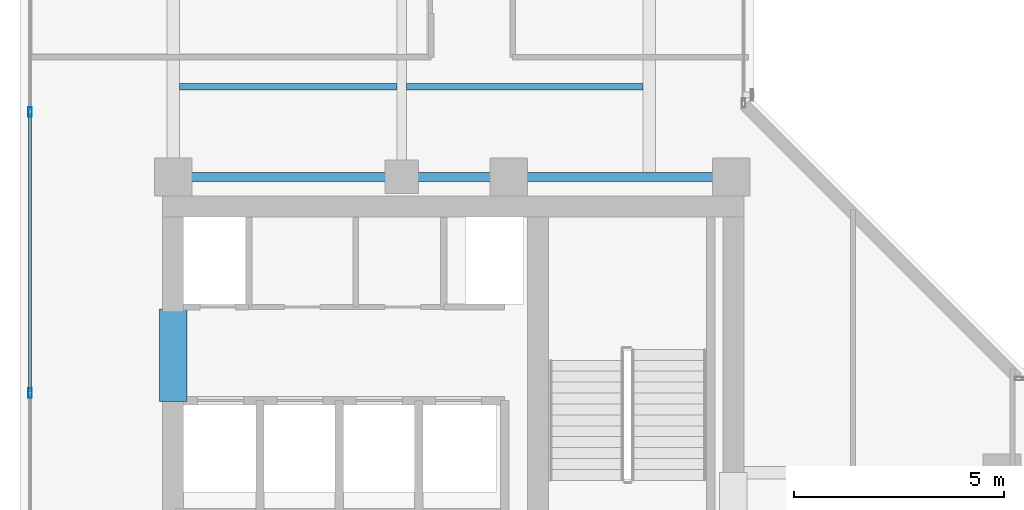
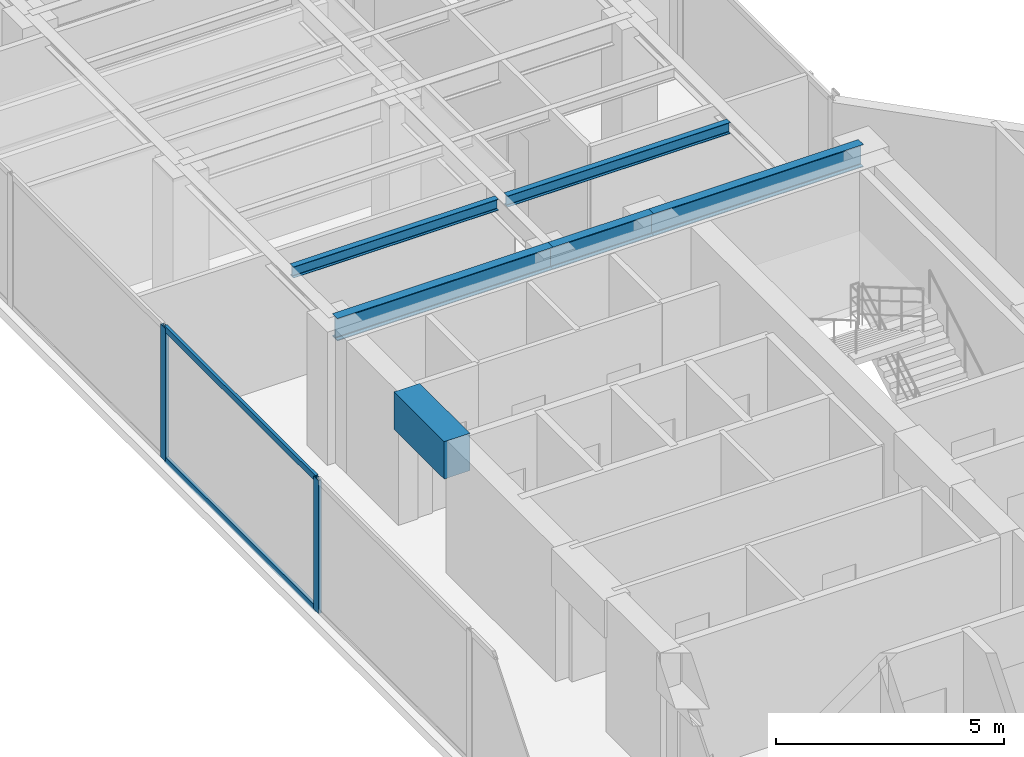
# One storey, part 6 of 23: 6 beams, 4 members, 1 element without a shape of its own.
"""IFC4 building model written with IfcOpenShell, lengths in metres."""

from ifc_helpers import new_model, si_unit, direction, frame, origin, origin_with_axes, origin_2d, place, context, subcontext, project, spatial, rectangle, hollow_rectangle, i_section, extrude, source, transform, mapped, material, layer, layer_set, material_profile, profile_set, type_object, element, aggregate, save


model = new_model("IFC4")

# Units and contexts
model_context = context("Model", 3, precision=1e-05, world=origin(), true_north=direction((0.0, 1.0)))
body_context = subcontext(model_context, "Body", "Model", "MODEL_VIEW")
ifc_project = project(units=[si_unit("LENGTHUNIT", "METRE"), si_unit("AREAUNIT", "SQUARE_METRE"), si_unit("VOLUMEUNIT", "CUBIC_METRE"), si_unit("PLANEANGLEUNIT", "RADIAN"), si_unit("MASSUNIT", "GRAM", prefix="KILO")], contexts=[model_context])

# Site, building, storey
site_placement = place(None, origin())
site = spatial("IfcSite", under=ifc_project, at=site_placement, CompositionType="ELEMENT")
building_placement = place(site_placement, origin())
building = spatial("IfcBuilding", under=site, at=building_placement, Name="Kolvaren Waterfront Exchange", CompositionType="ELEMENT")
storey_placement = place(building_placement, frame((0.0, 0.0, 304.60009765625)))
storey = spatial("IfcBuildingStorey", under=building, at=storey_placement, Name="L78", CompositionType="ELEMENT", Elevation=304.60009765625)

# Beams
ifc_material_1 = material(Name="Steel S355", Category="steel")
ifc_material_profile_1 = material_profile(ifc_material_1, i_section(OverallWidth=0.14990234375, OverallDepth=0.300048828125, WebThickness=0.007080078125, FlangeThickness=0.0107421875, FilletRadius=0.014892578125, at=origin_2d()), Name="IPE300")
ifc_profile_set_1 = profile_set([ifc_material_profile_1], Name="Steel S355")
beam_type_1 = type_object("IfcBeamType", Name="STR-BM-IPE300", PredefinedType="JOIST", material=ifc_profile_set_1)
beam_1_placement = place(storey_placement, frame((7.60205078125, 26.60009765625, 3.409912109375), z_axis=(1.0, 0.0, 0.0), x_axis=(0.0, 1.0, 0.0)))
element("IfcBeam", 1, at=beam_1_placement, inside=storey, type_object=beam_type_1, Name="L78 north-arm composite joist 1A", PredefinedType="JOIST", context=body_context, shape_type="SweptSolid", body=[
    extrude(i_section(OverallWidth=0.14990234375, OverallDepth=0.300048828125, WebThickness=0.007080078125, FlangeThickness=0.0107421875, FilletRadius=0.014892578125, at=origin_2d()), origin(), (0.0, 0.0, 1.0), 5.18603515625),
])
beam_2_placement = place(storey_placement, frame((13.011962890625, 26.60009765625, 3.409912109375), z_axis=(1.0, 0.0, 0.0), x_axis=(0.0, 1.0, 0.0)))
element("IfcBeam", 2, at=beam_2_placement, inside=storey, type_object=beam_type_1, Name="L78 north-arm composite joist 1B", PredefinedType="JOIST", context=body_context, shape_type="SweptSolid", body=[
    extrude(i_section(OverallWidth=0.14990234375, OverallDepth=0.300048828125, WebThickness=0.007080078125, FlangeThickness=0.0107421875, FilletRadius=0.014892578125, at=origin_2d()), origin(), (0.0, 0.0, 1.0), 5.635986328125),
])
ifc_material_profile_2 = material_profile(ifc_material_1, i_section(OverallWidth=0.219970703125, OverallDepth=0.60009765625, WebThickness=0.011962890625, FlangeThickness=0.01904296875, FilletRadius=0.02392578125, at=origin_2d()), Name="IPE600")
ifc_profile_set_2 = profile_set([ifc_material_profile_2], Name="Steel S355")
beam_type_2 = type_object("IfcBeamType", Name="STR-BM-IPE600", PredefinedType="BEAM", material=ifc_profile_set_2)
beam_3_placement = place(storey_placement, frame((7.449951171875, 24.449951171875, 3.260009765625), z_axis=(1.0, 0.0, 0.0), x_axis=(0.0, 1.0, 0.0)))
element("IfcBeam", 3, at=beam_3_placement, inside=storey, type_object=beam_type_2, Name="L78 north-arm girder 1A", PredefinedType="BEAM", context=body_context, shape_type="SweptSolid", body=[
    extrude(i_section(OverallWidth=0.219970703125, OverallDepth=0.60009765625, WebThickness=0.011962890625, FlangeThickness=0.01904296875, FilletRadius=0.02392578125, at=origin_2d()), origin(), (0.0, 0.0, 1.0), 5.449951171875),
])
beam_4_placement = place(storey_placement, frame((12.89990234375, 24.449951171875, 3.260009765625), z_axis=(1.0, 0.0, 0.0), x_axis=(0.0, 1.0, 0.0)))
element("IfcBeam", 4, at=beam_4_placement, inside=storey, type_object=beam_type_2, Name="L78 north-arm girder 1B", PredefinedType="BEAM", context=body_context, shape_type="SweptSolid", body=[
    extrude(i_section(OverallWidth=0.219970703125, OverallDepth=0.60009765625, WebThickness=0.011962890625, FlangeThickness=0.01904296875, FilletRadius=0.02392578125, at=origin_2d()), origin(), (0.0, 0.0, 1.0), 2.550048828125),
])
beam_5_placement = place(storey_placement, frame((15.449951171875, 24.449951171875, 3.260009765625), z_axis=(1.0, 0.0, 0.0), x_axis=(0.0, 1.0, 0.0)))
element("IfcBeam", 5, at=beam_5_placement, inside=storey, type_object=beam_type_2, Name="L78 north-arm girder 1C", PredefinedType="BEAM", context=body_context, shape_type="SweptSolid", body=[
    extrude(i_section(OverallWidth=0.219970703125, OverallDepth=0.60009765625, WebThickness=0.011962890625, FlangeThickness=0.01904296875, FilletRadius=0.02392578125, at=origin_2d()), origin(), (0.0, 0.0, 1.0), 5.300048828125),
])
ifc_material_2 = material(Name="Concrete C60/75", Category="concrete")
ifc_material_profile_3 = material_profile(ifc_material_2, rectangle(XDim=0.64990234375, YDim=1.0, at=origin_2d()), Name="RC-CB-1000x650")
ifc_profile_set_3 = profile_set([ifc_material_profile_3], Name="Concrete C60/75")
beam_type_3 = type_object("IfcBeamType", Name="STR-CB-1000", PredefinedType="SPANDREL", material=ifc_profile_set_3)
beam_6_placement = place(storey_placement, frame((7.449951171875, 19.10009765625, 3.059814453125), z_axis=(0.0, 1.0, 0.0), x_axis=(-1.0, 0.0, 0.0)))
element("IfcBeam", 6, at=beam_6_placement, inside=storey, type_object=beam_type_3, Name="L78 core coupling beam 5", PredefinedType="SPANDREL", context=body_context, shape_type="SweptSolid", body=[
    extrude(rectangle(XDim=0.64990234375, YDim=1.0, at=origin_2d()), origin(), (0.0, 0.0, 1.0), 2.199951171875),
])

# Curtain wall, members
ifc_material_3 = material(Name="Anodised aluminium 6063-T6", Category="aluminium")
ifc_layer = layer(ifc_material_3, 0.219970703125, Name="Anodised aluminium 6063-T6")
ifc_layer_set = layer_set([ifc_layer], Name="Anodised aluminium 6063-T6")
curtain_wall_type = type_object("IfcCurtainWallType", Name="ARC-CW-SYS2", PredefinedType="USERDEFINED", material=ifc_layer_set)
curtain_wall_placement = place(storey_placement, origin())
curtain_wall = element("IfcCurtainWall", 7, at=curtain_wall_placement, inside=storey, type_object=curtain_wall_type, Name="L78 stick curtain wall CW2 (CW-L78-W)", ObjectType="STICK CURTAIN WALL", PredefinedType="USERDEFINED")
ifc_material_profile_4 = material_profile(ifc_material_3, hollow_rectangle(XDim=0.080078125, YDim=0.219970703125, WallThickness=0.0048828125, at=origin_2d()), Name="ALU-MUL-220x80x5")
ifc_profile_set_4 = profile_set([ifc_material_profile_4], Name="Anodised aluminium 6063-T6")
member_type_1 = type_object("IfcMemberType", Name="ARC-CWM-220", PredefinedType="MULLION", material=ifc_profile_set_4)
shared_shape_1 = source(origin_with_axes(), body_context, "Body", "SweptSolid", [
    extrude(hollow_rectangle(XDim=0.080078125, YDim=0.219970703125, WallThickness=0.0048828125, at=origin_2d()), origin(), (0.0, 0.0, 1.0), 3.559814453125),
])
member_1_placement = place(storey_placement, frame((4.0400390625, 19.29833984375, 0.0), z_axis=(0.0, 0.0, 1.0), x_axis=(-1.0, 0.0, 0.0)))
member_1 = element("IfcMember", 8, at=member_1_placement, type_object=member_type_1, Name="CW2 mullion 3", PredefinedType="MULLION", context=body_context, shape_type="MappedRepresentation", body=[
    mapped(shared_shape_1, transform((0.0, 0.0, 0.0), x_axis=(1.0, 0.0, 0.0), y_axis=(0.0, 1.0, 0.0), z_axis=(0.0, 0.0, 1.0), scale=1.0)),
])
member_2_placement = place(storey_placement, frame((4.0400390625, 25.997314453125, 0.0), z_axis=(0.0, 0.0, 1.0), x_axis=(-1.0, 0.0, 0.0)))
member_2 = element("IfcMember", 9, at=member_2_placement, type_object=member_type_1, Name="CW2 mullion 4", PredefinedType="MULLION", context=body_context, shape_type="MappedRepresentation", body=[
    mapped(shared_shape_1, transform((0.0, 0.0, 0.0), x_axis=(1.0, 0.0, 0.0), y_axis=(0.0, 1.0, 0.0), z_axis=(0.0, 0.0, 1.0), scale=1.0)),
])
ifc_material_profile_5 = material_profile(ifc_material_3, hollow_rectangle(XDim=0.074951171875, YDim=0.159912109375, WallThickness=0.00439453125, at=origin_2d()), Name="ALU-TRN-160x75x4.5")
ifc_profile_set_5 = profile_set([ifc_material_profile_5], Name="Anodised aluminium 6063-T6")
member_type_2 = type_object("IfcMemberType", Name="ARC-CWT-160", PredefinedType="USERDEFINED", material=ifc_profile_set_5)
shared_shape_2 = source(origin_with_axes(), body_context, "Body", "SweptSolid", [
    extrude(hollow_rectangle(XDim=0.074951171875, YDim=0.159912109375, WallThickness=0.00439453125, at=origin_2d()), origin(), (0.0, 0.0, 1.0), 6.619140625),
])
member_3_placement = place(storey_placement, frame((4.0400390625, 19.338134765625, 0.037353515625), z_axis=(0.0, 1.0, 0.0), x_axis=(-1.0, 0.0, 0.0)))
member_3 = element("IfcMember", 10, at=member_3_placement, type_object=member_type_2, Name="CW2 transom 3.1", ObjectType="TRANSOM", PredefinedType="USERDEFINED", context=body_context, shape_type="MappedRepresentation", body=[
    mapped(shared_shape_2, transform((0.0, 0.0, 0.0), x_axis=(1.0, 0.0, 0.0), y_axis=(0.0, 1.0, 0.0), z_axis=(0.0, 0.0, 1.0), scale=1.0)),
])
member_4_placement = place(storey_placement, frame((4.0400390625, 19.338134765625, 3.5224609375), z_axis=(0.0, 1.0, 0.0), x_axis=(-1.0, 0.0, 0.0)))
member_4 = element("IfcMember", 11, at=member_4_placement, type_object=member_type_2, Name="CW2 transom 3.2", ObjectType="TRANSOM", PredefinedType="USERDEFINED", context=body_context, shape_type="MappedRepresentation", body=[
    mapped(shared_shape_2, transform((0.0, 0.0, 0.0), x_axis=(1.0, 0.0, 0.0), y_axis=(0.0, 1.0, 0.0), z_axis=(0.0, 0.0, 1.0), scale=1.0)),
])
aggregate(curtain_wall, [member_1, member_2, member_3, member_4])

save(model, "model.ifc")
